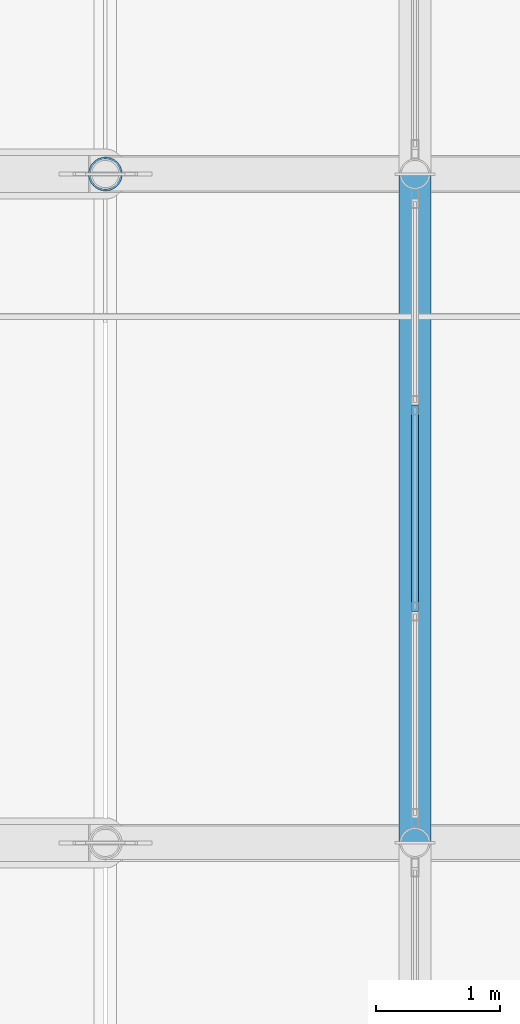
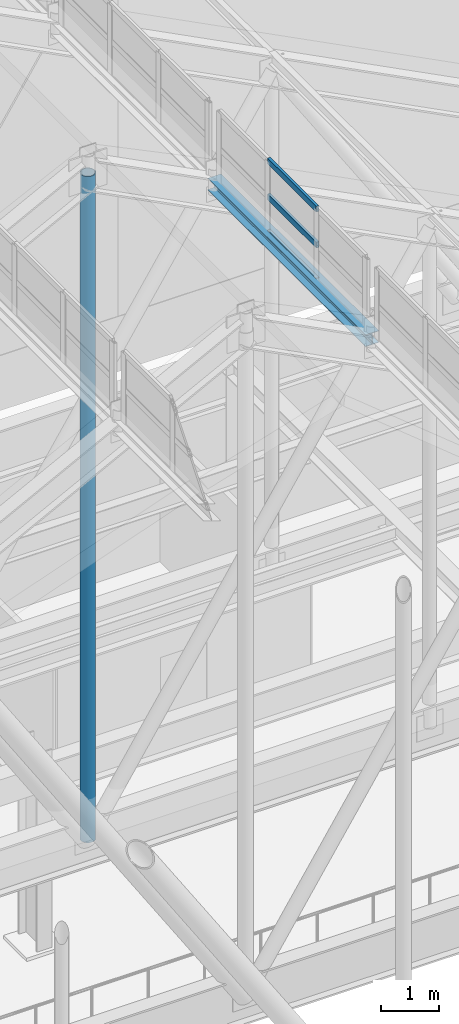
# One storey, part 49 of 84: 4 members, 1 beam, 1 element without a shape of its own.
"""IFC4 building model written with IfcOpenShell, lengths in metres."""

from ifc_helpers import new_model, si_unit, direction, frame, origin, origin_2d, place, context, subcontext, project, spatial, hollow_rectangle, hollow_circle, i_section, extrude, material, layer, layer_set, material_profile, profile_set, type_object, element, aggregate, save


model = new_model("IFC4")

# Units and contexts
model_context = context("Model", 3, precision=1e-05, world=origin(), true_north=direction((0.0, 1.0)))
body_context = subcontext(model_context, "Body", "Model", "MODEL_VIEW")
ifc_project = project(units=[si_unit("LENGTHUNIT", "METRE"), si_unit("AREAUNIT", "SQUARE_METRE"), si_unit("VOLUMEUNIT", "CUBIC_METRE"), si_unit("PLANEANGLEUNIT", "RADIAN"), si_unit("MASSUNIT", "GRAM", prefix="KILO")], contexts=[model_context])

# Site, building, storey
site_placement = place(None, origin())
site = spatial("IfcSite", under=ifc_project, at=site_placement, CompositionType="ELEMENT")
building_placement = place(site_placement, origin())
building = spatial("IfcBuilding", under=site, at=building_placement, Name="Sundgate Opera House", CompositionType="ELEMENT")
storey_placement = place(building_placement, frame((0.0, 0.0, 30.60009765625)))
storey = spatial("IfcBuildingStorey", under=building, at=storey_placement, Name="L06", CompositionType="ELEMENT", Elevation=30.60009765625)

# Beam
ifc_material_1 = material(Name="Steel S355J2", Category="steel")
ifc_material_profile_1 = material_profile(ifc_material_1, i_section(OverallWidth=0.260009765625, OverallDepth=0.25, WebThickness=0.007568359375, FlangeThickness=0.012451171875, at=origin_2d()), Name="HEA 260")
ifc_profile_set_1 = profile_set([ifc_material_profile_1], Name="Steel S355J2")
beam_type = type_object("IfcBeamType", Name="BM-LN-HEA260", PredefinedType="LINTEL", material=ifc_profile_set_1)
beam_placement = place(storey_placement, frame((56.5, 70.800048828125, 16.119873046875), z_axis=(0.0, 1.0, 0.0), x_axis=(-1.0, 0.0, 0.0)))
element("IfcBeam", 1, at=beam_placement, inside=storey, type_object=beam_type, Name="L06 Crown Clerestory Curb Beam BS037", PredefinedType="LINTEL", context=body_context, shape_type="SweptSolid", body=[
    extrude(i_section(OverallWidth=0.260009765625, OverallDepth=0.25, WebThickness=0.007568359375, FlangeThickness=0.012451171875, at=origin_2d()), origin(), (0.0, 0.0, 1.0), 5.39990234375),
])

# Curtain wall, members
ifc_material_2 = material(Name="Anodized aluminium and low-iron glass", Category="aluminium")
ifc_layer = layer(ifc_material_2, 0.169921875)
ifc_layer_set = layer_set([ifc_layer], Name="Anodized aluminium and low-iron glass")
curtain_wall_type = type_object("IfcCurtainWallType", Name="CW-LANTERN-POLY", PredefinedType="NOTDEFINED", material=ifc_layer_set)
curtain_wall_placement = place(storey_placement, origin())
curtain_wall = element("IfcCurtainWall", 2, at=curtain_wall_placement, inside=storey, type_object=curtain_wall_type, Name="L06 Curtain Wall CW184", PredefinedType="NOTDEFINED")
ifc_material_3 = material(Name="Anodized aluminium EN AW-6063", Category="aluminium")
ifc_material_profile_2 = material_profile(ifc_material_3, hollow_rectangle(XDim=0.054931640625, YDim=0.1201171875, WallThickness=0.00390625, at=origin_2d()), Name="CWT 120x55x4")
ifc_profile_set_2 = profile_set([ifc_material_profile_2], Name="Anodized aluminium EN AW-6063")
member_type_1 = type_object("IfcMemberType", Name="CWT-ALU-120x55", PredefinedType="USERDEFINED", material=ifc_profile_set_2)
member_1_placement = place(storey_placement, frame((56.5, 72.666748046875, 16.199951171875), z_axis=(0.0, 1.0, 0.0), x_axis=(-1.0, 0.0, 0.0)))
member_1 = element("IfcMember", 3, at=member_1_placement, type_object=member_type_1, Name="CW184 Transom 4", ObjectType="TRANSOM", PredefinedType="USERDEFINED", context=body_context, shape_type="SweptSolid", body=[
    extrude(hollow_rectangle(XDim=0.054931640625, YDim=0.1201171875, WallThickness=0.00390625, at=origin_2d()), origin(), (0.0, 0.0, 1.0), 1.66650390625),
])
member_2_placement = place(storey_placement, frame((56.5, 72.666748046875, 16.949951171875), z_axis=(0.0, 1.0, 0.0), x_axis=(-1.0, 0.0, 0.0)))
member_2 = element("IfcMember", 4, at=member_2_placement, type_object=member_type_1, Name="CW184 Transom 5", ObjectType="TRANSOM", PredefinedType="USERDEFINED", context=body_context, shape_type="SweptSolid", body=[
    extrude(hollow_rectangle(XDim=0.054931640625, YDim=0.1201171875, WallThickness=0.00390625, at=origin_2d()), origin(), (0.0, 0.0, 1.0), 1.66650390625),
])
member_3_placement = place(storey_placement, frame((56.5, 72.666748046875, 17.699951171875), z_axis=(0.0, 1.0, 0.0), x_axis=(-1.0, 0.0, 0.0)))
member_3 = element("IfcMember", 5, at=member_3_placement, type_object=member_type_1, Name="CW184 Transom 6", ObjectType="TRANSOM", PredefinedType="USERDEFINED", context=body_context, shape_type="SweptSolid", body=[
    extrude(hollow_rectangle(XDim=0.054931640625, YDim=0.1201171875, WallThickness=0.00390625, at=origin_2d()), origin(), (0.0, 0.0, 1.0), 1.66650390625),
])
aggregate(curtain_wall, [member_1, member_2, member_3])

# Member
ifc_material_4 = material(Name="Steel S355J2", Category="steel")
ifc_material_profile_3 = material_profile(ifc_material_4, hollow_circle(Radius=0.136474609375, WallThickness=0.01611328125, at=origin_2d()), Name="CHS 273.0x16.0")
ifc_profile_set_3 = profile_set([ifc_material_profile_3], Name="Steel S355J2")
member_type_2 = type_object("IfcMemberType", Name="MB-STRUT-CHS273", PredefinedType="STRUT", material=ifc_profile_set_3)
member_4_placement = place(storey_placement, frame((54.0, 76.199951171875, 3.289794921875), z_axis=(0.0, 0.0, 1.0), x_axis=(1.0, 0.0, 0.0)))
element("IfcMember", 6, at=member_4_placement, inside=storey, type_object=member_type_2, Name="L06 Fly-Tower Truss Vertical Post M0193", PredefinedType="STRUT", context=body_context, shape_type="SweptSolid", body=[
    extrude(hollow_circle(Radius=0.136474609375, WallThickness=0.01611328125, at=origin_2d()), origin(), (0.0, 0.0, 1.0), 13.91015625),
])

save(model, "model.ifc")
